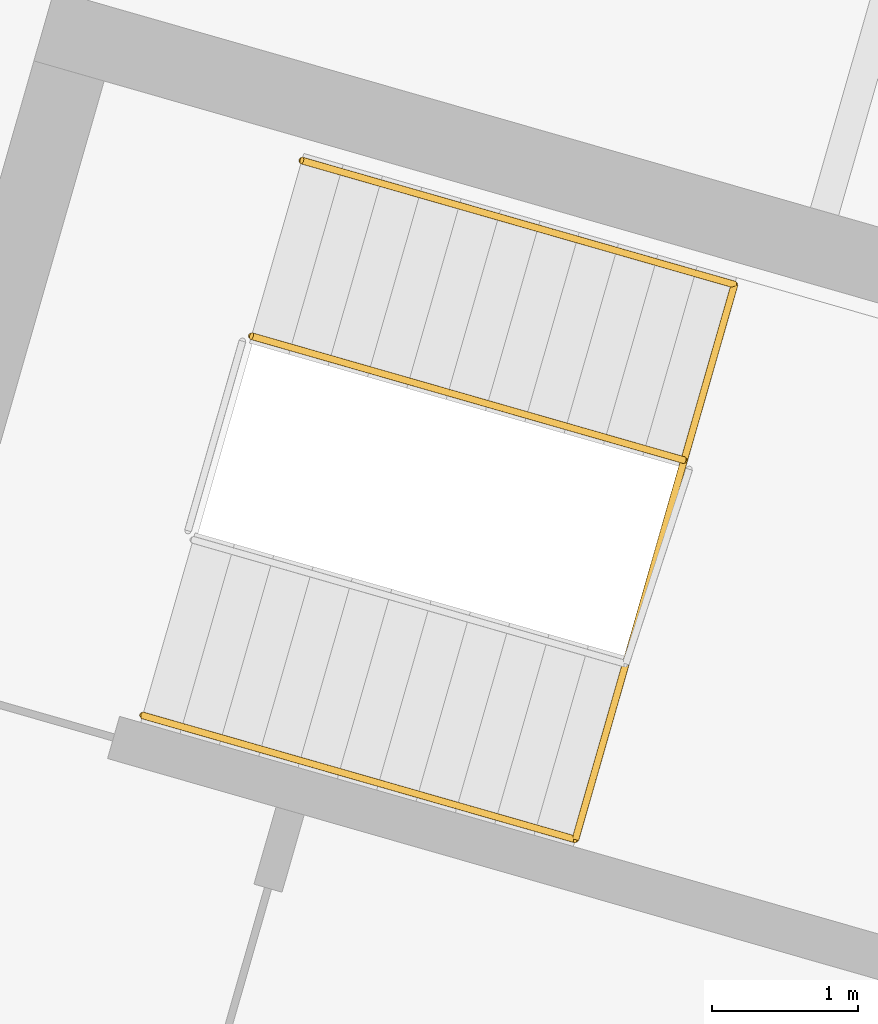
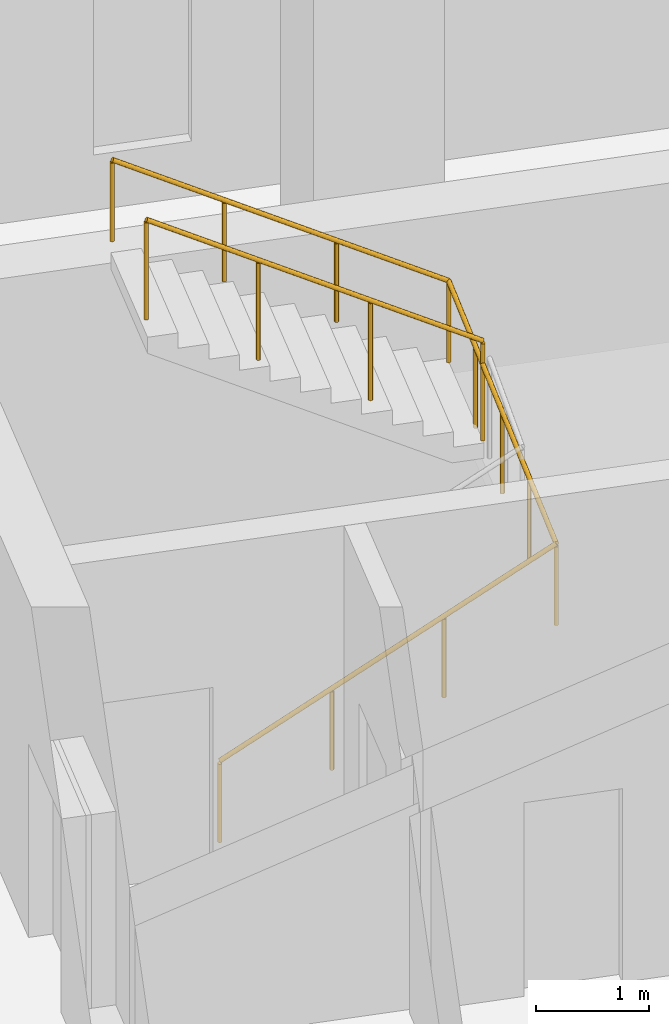
# One storey, part 9 of 9: 2 railings.
"""IFC4 building model written with IfcOpenShell, lengths in metres."""

from ifc_helpers import new_model, si_unit, direction, frame, origin, origin_2d, place, context, subcontext, project, spatial, circle, extrude, material, type_object, element, save


model = new_model("IFC4")

# Units and contexts
model_context = context("Model", 3, precision=1e-05, world=origin(), true_north=direction((0.0, 1.0)))
body_context = subcontext(model_context, "Body", "Model", "MODEL_VIEW")
ifc_project = project(units=[si_unit("LENGTHUNIT", "METRE"), si_unit("AREAUNIT", "SQUARE_METRE"), si_unit("VOLUMEUNIT", "CUBIC_METRE"), si_unit("PLANEANGLEUNIT", "RADIAN"), si_unit("MASSUNIT", "GRAM", prefix="KILO")], contexts=[model_context])

# Site, building, storey
site_placement = place(None, origin())
site = spatial("IfcSite", under=ifc_project, at=site_placement, CompositionType="ELEMENT")
building_placement = place(site_placement, origin())
building = spatial("IfcBuilding", under=site, at=building_placement, Name="Binnacle Exchange Tower", CompositionType="ELEMENT")
storey_placement = place(building_placement, frame((0.0, 0.0, 198.89990234375)))
storey = spatial("IfcBuildingStorey", under=building, at=storey_placement, Name="L43", CompositionType="ELEMENT", Elevation=198.89990234375)

# Railings
ifc_material_1 = material(Name="Steel guard rail", Category="steel")
railing_type_1 = type_object("IfcRailingType", Name="STAIR GUARD 1100", PredefinedType="GUARDRAIL", material=ifc_material_1)
railing_1_placement = place(storey_placement, frame((24.447021484375, 57.255126953125, 2.166748046875)))
element("IfcRailing", 1, at=railing_1_placement, inside=storey, type_object=railing_type_1, Name="L43 STD1 stair guard 2", PredefinedType="GUARDRAIL", context=body_context, shape_type="SweptSolid", body=[
    extrude(circle(Radius=0.02392578125, at=origin_2d()), frame((0.0, 0.0, 1.076171875), z_axis=(-0.826006950853, 0.236897186037, 0.511460888427), x_axis=(-0.27568413623, -0.961248280639, 0.0)), (0.0, 0.0, 1.0), 3.584228515625),
    extrude(circle(Radius=0.02099609375, at=origin_2d()), origin(), (0.0, 0.0, 1.0), 1.052001953125),
    extrude(circle(Radius=0.02099609375, at=origin_2d()), frame((-0.98681640625, 0.282958984375, 0.611083984375)), (0.0, 0.0, 1.0), 1.052001953125),
    extrude(circle(Radius=0.02099609375, at=origin_2d()), frame((-1.973876953125, 0.566162109375, 1.22216796875)), (0.0, 0.0, 1.0), 1.052001953125),
    extrude(circle(Radius=0.02099609375, at=origin_2d()), frame((-2.960693359375, 0.84912109375, 1.833251953125)), (0.0, 0.0, 1.0), 1.052001953125),
])
ifc_material_2 = material(Name="Steel handrail", Category="steel")
railing_type_2 = type_object("IfcRailingType", Name="STAIR HANDRAIL 900", PredefinedType="HANDRAIL", material=ifc_material_2)
railing_2_placement = place(storey_placement, frame((20.7421875, 55.5087890625, 0.166748046875)))
element("IfcRailing", 2, at=railing_2_placement, inside=storey, type_object=railing_type_2, Name="L43 STD1 stair handrail 1", PredefinedType="HANDRAIL", context=body_context, shape_type="SweptSolid", body=[
    extrude(circle(Radius=0.02392578125, at=origin_2d()), frame((0.0, 0.0, 0.8759765625), z_axis=(0.826020277534, -0.236832893954, 0.511469140266), x_axis=(0.275610892984, 0.961269283639, 0.0)), (0.0, 0.0, 1.0), 3.584228515625),
    extrude(circle(Radius=0.02392578125, at=origin_2d()), frame((2.960693359375, -0.848876953125, 2.708984375), z_axis=(0.275365570671, 0.960413849534, 0.042178668932), x_axis=(-0.961269298493, 0.275610841177, 0.0)), (0.0, 0.0, 1.0), 3.953369140625),
    extrude(circle(Radius=0.02392578125, at=origin_2d()), frame((4.04931640625, 2.947998046875, 2.8759765625), z_axis=(-0.826020277534, 0.236832893954, 0.511469140266), x_axis=(-0.275610892984, -0.961269283639, 0.0)), (0.0, 0.0, 1.0), 3.584228515625),
    extrude(circle(Radius=0.02099609375, at=origin_2d()), origin(), (0.0, 0.0, 1.0), 0.851806640625),
    extrude(circle(Radius=0.02099609375, at=origin_2d()), frame((0.98681640625, -0.282958984375, 0.611083984375)), (0.0, 0.0, 1.0), 0.851806640625),
    extrude(circle(Radius=0.02099609375, at=origin_2d()), frame((1.973876953125, -0.56591796875, 1.22216796875)), (0.0, 0.0, 1.0), 0.851806640625),
    extrude(circle(Radius=0.02099609375, at=origin_2d()), frame((2.960693359375, -0.848876953125, 1.833251953125)), (0.0, 0.0, 1.0), 0.851806640625),
    extrude(circle(Radius=0.02099609375, at=origin_2d()), frame((3.23291015625, 0.100341796875, 1.875)), (0.0, 0.0, 1.0), 0.851806640625),
    extrude(circle(Radius=0.02099609375, at=origin_2d()), frame((3.5048828125, 1.049560546875, 1.91650390625)), (0.0, 0.0, 1.0), 0.851806640625),
    extrude(circle(Radius=0.02099609375, at=origin_2d()), frame((3.777099609375, 1.998779296875, 1.958251953125)), (0.0, 0.0, 1.0), 0.851806640625),
    extrude(circle(Radius=0.02099609375, at=origin_2d()), frame((4.04931640625, 2.947998046875, 2.0)), (0.0, 0.0, 1.0), 0.851806640625),
    extrude(circle(Radius=0.02099609375, at=origin_2d()), frame((3.0625, 3.23095703125, 2.611083984375)), (0.0, 0.0, 1.0), 0.851806640625),
    extrude(circle(Radius=0.02099609375, at=origin_2d()), frame((2.075439453125, 3.513916015625, 3.22216796875)), (0.0, 0.0, 1.0), 0.851806640625),
    extrude(circle(Radius=0.02099609375, at=origin_2d()), frame((1.088623046875, 3.796875, 3.833251953125)), (0.0, 0.0, 1.0), 0.851806640625),
])

save(model, "model.ifc")
